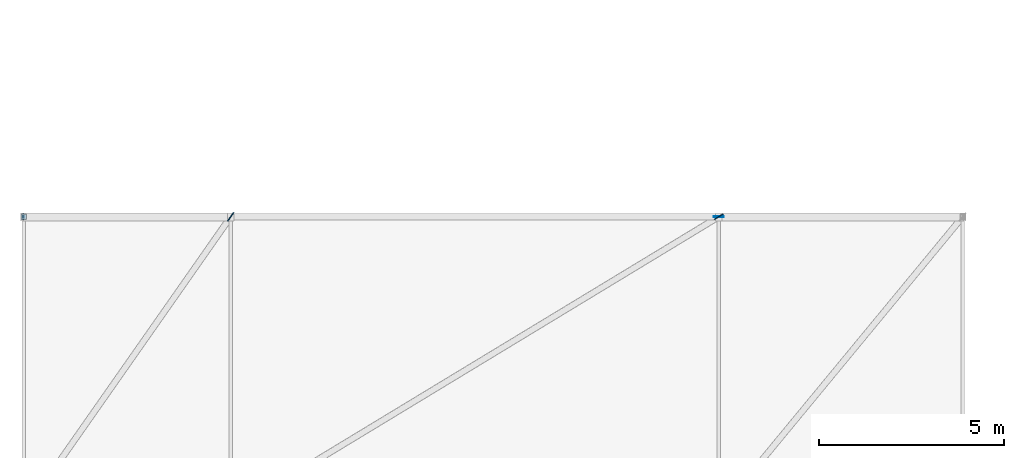
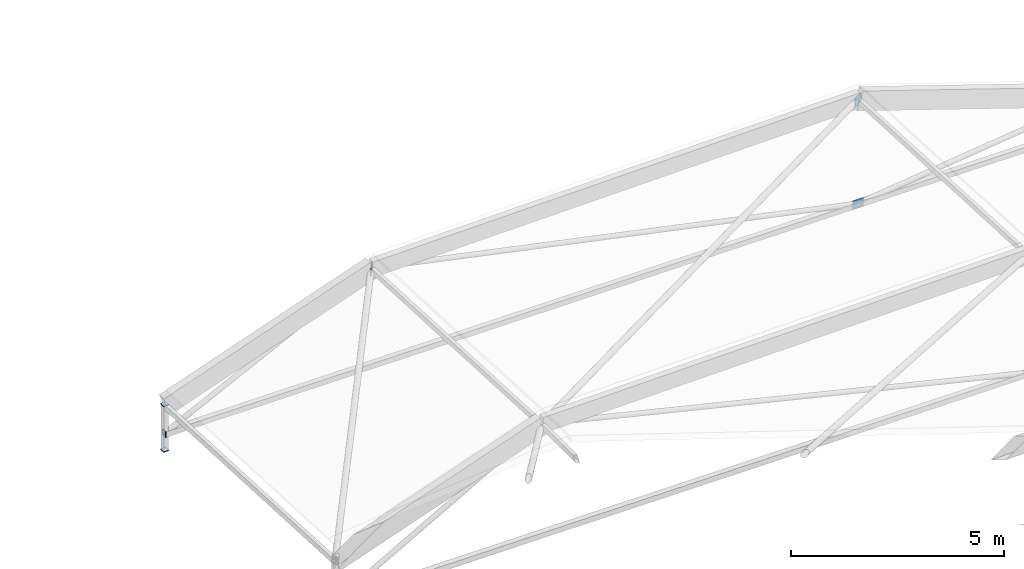
# One storey, part 106 of 134: 6 plates.
"""IFC4 building model written with IfcOpenShell, lengths in metres."""

from ifc_helpers import new_model, si_unit, direction, frame, origin, origin_2d, place, context, subcontext, project, spatial, rectangle, extrude, material, layer, layer_set, type_object, element, save


model = new_model("IFC4")

# Units and contexts
model_context = context("Model", 3, precision=1e-05, world=origin(), true_north=direction((0.0, 1.0)))
body_context = subcontext(model_context, "Body", "Model", "MODEL_VIEW")
ifc_project = project(units=[si_unit("LENGTHUNIT", "METRE"), si_unit("AREAUNIT", "SQUARE_METRE"), si_unit("VOLUMEUNIT", "CUBIC_METRE"), si_unit("PLANEANGLEUNIT", "RADIAN"), si_unit("MASSUNIT", "GRAM", prefix="KILO")], contexts=[model_context])

# Site, building, storey
site_placement = place(None, origin())
site = spatial("IfcSite", under=ifc_project, at=site_placement, CompositionType="ELEMENT")
building_placement = place(site_placement, origin())
building = spatial("IfcBuilding", under=site, at=building_placement, Name="Karori Crest Natural Sciences Institute", CompositionType="ELEMENT")
storey_placement = place(building_placement, frame((0.0, 0.0, 21.699951171875)))
storey = spatial("IfcBuildingStorey", under=building, at=storey_placement, Name="L05", CompositionType="ELEMENT", Elevation=21.699951171875)

# Plates
ifc_material = material(Name="Structural steel AS/NZS 3679.1 Grade 350", Category="steel")
ifc_layer_1 = layer(ifc_material, 0.02490234375, Name="Structural steel AS/NZS 3679.1 Grade 350")
ifc_layer_set_1 = layer_set([ifc_layer_1], Name="Structural steel AS/NZS 3679.1 Grade 350")
plate_type_1 = type_object("IfcPlateType", Name="PLT-06", PredefinedType="SHEET", material=ifc_layer_set_1)
plate_1_placement = place(storey_placement, frame((1.78759765625, 55.0, 0.03515625), z_axis=(0.0, 0.0, 1.0), x_axis=(1.0, 0.0, 0.0)))
element("IfcPlate", 1, at=plate_1_placement, inside=storey, type_object=plate_type_1, Name="Hollow section end cap EP-0355", PredefinedType="SHEET", context=body_context, shape_type="SweptSolid", body=[
    extrude(rectangle(XDim=0.02490234375, YDim=0.169921875, at=origin_2d()), origin(), (0.0, 0.0, 1.0), 0.169921875),
])
plate_2_placement = place(storey_placement, frame((20.60009765625, 55.0, 0.0), z_axis=(0.0, 0.0, 1.0), x_axis=(1.0, 0.0, 0.0)))
element("IfcPlate", 2, at=plate_2_placement, inside=storey, type_object=plate_type_1, Name="Brace gusset plate EP-0357", PredefinedType="SHEET", context=body_context, shape_type="SweptSolid", body=[
    extrude(rectangle(XDim=0.280029296875, YDim=0.02490234375, at=origin_2d()), origin(), (0.0, 0.0, 1.0), 0.239990234375),
])
ifc_layer_2 = layer(ifc_material, 0.02490234375, Name="Structural steel AS/NZS 3679.1 Grade 350")
ifc_layer_set_2 = layer_set([ifc_layer_2], Name="Structural steel AS/NZS 3679.1 Grade 350")
plate_type_2 = type_object("IfcPlateType", Name="PLT-06-EL", PredefinedType="SHEET", material=ifc_layer_set_2)
for number, where, z_axis, x_axis, name in (
    (3, (7.39990234375, 55.0, 2.74951171875), (0.0, 0.0, 1.0), (0.573462055558, 0.819232122682, 0.0), "Brace gusset plate EP-0348"),
    (4, (20.60009765625, 55.0, 2.982421875), (0.0, 0.0, 1.0), (0.85519785656, 0.518301674833, 0.0), "Brace gusset plate EP-0350"),
):
    element("IfcPlate", number, at=place(storey_placement, frame(where, z_axis=z_axis, x_axis=x_axis)), inside=storey, type_object=plate_type_2, Name=name, PredefinedType="SHEET", context=body_context, shape_type="SweptSolid", body=[
        extrude(rectangle(XDim=0.280029296875, YDim=0.02490234375, at=origin_2d()), origin(), (0.0, 0.0, 1.0), 0.239990234375),
    ])
for number, where, z_axis, x_axis, name in (
    (5, (1.800048828125, 55.0, -0.375), (0.0, 0.0, 1.0), (1.0, 0.0, 0.0), "Hollow section end cap EP-0352"),
    (6, (1.800048828125, 55.0, 0.93017578125), (0.0, 0.0, 1.0), (1.0, 0.0, 0.0), "Hollow section end cap EP-0353"),
):
    element("IfcPlate", number, at=place(storey_placement, frame(where, z_axis=z_axis, x_axis=x_axis)), inside=storey, type_object=plate_type_2, Name=name, PredefinedType="SHEET", context=body_context, shape_type="SweptSolid", body=[
        extrude(rectangle(XDim=0.14501953125, YDim=0.14501953125, at=origin_2d()), origin(), (0.0, 0.0, 1.0), 0.02490234375),
    ])

save(model, "model.ifc")
